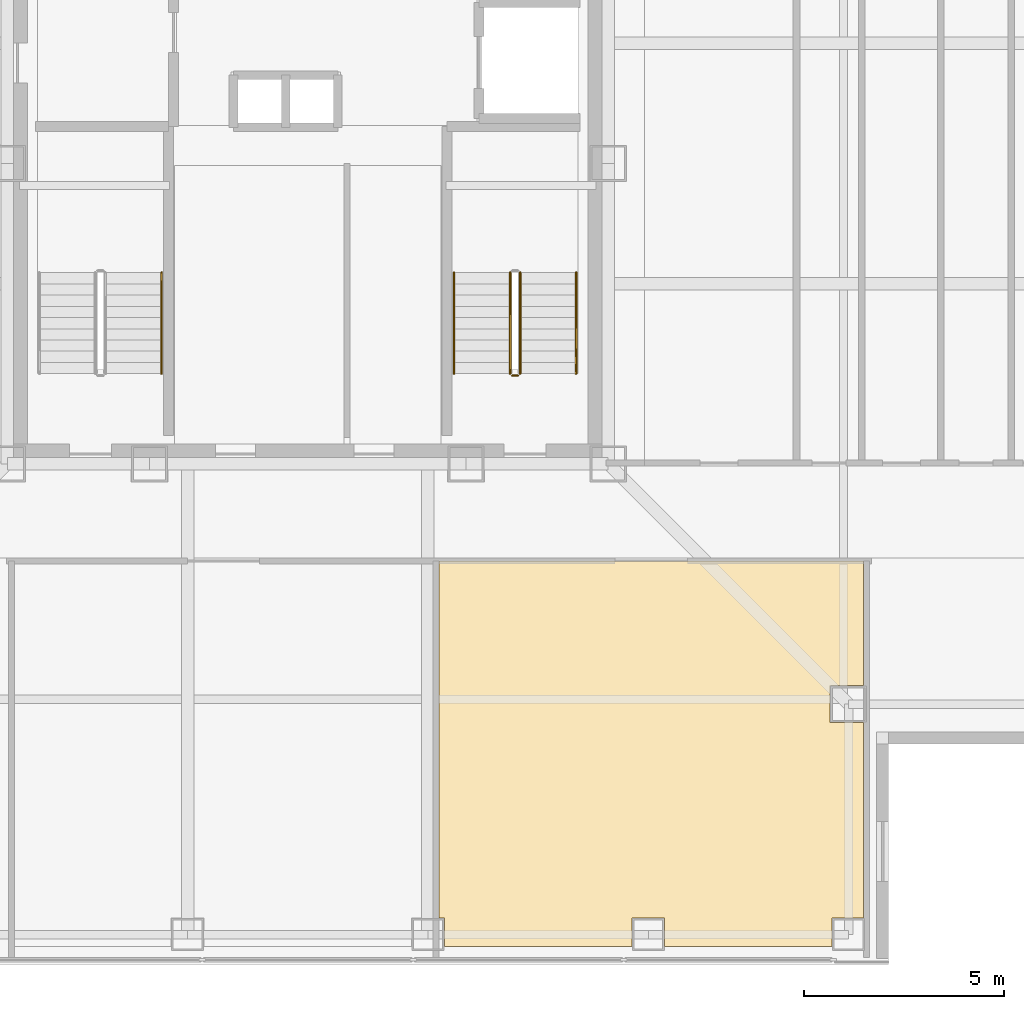
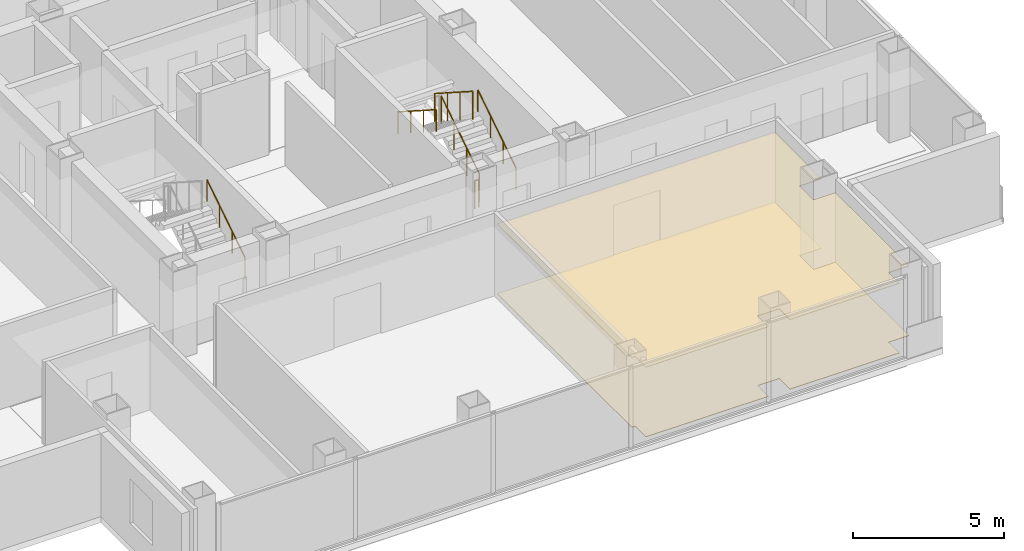
# One storey, part 14 of 18: 6 railings, 2 coverings.
"""IFC4 building model written with IfcOpenShell, lengths in metres."""

import ifcopenshell
import ifcopenshell.guid

model = None  # the IFC model being written
_history = None  # IfcOwnerHistory: only IFC2X3 demands one
_inside = {}  # id of a spatial element -> (the spatial element, [elements in it])
_under = {}  # id of a project, library or spatial element -> (it, [spatial elements below it])
_declared = {}  # id of a project -> (the project, [libraries it declares])
_typed = {}  # id of a type object -> (the type object, [elements of that type])
_made_of = {}  # id of a material, layer set ... -> (it, [elements and type objects made of it])


def new_model(schema):
    """Start an empty IFC model of exactly this schema.

    Asked for "IFC4X3", IfcOpenShell would pick the latest addendum, in which some entities
    have other attributes; the version numbers below select the first issue.
    IFC2X3 requires an IfcOwnerHistory on every rooted entity: one is made here for all.
    """
    global model, _history
    if schema == "IFC4X3":
        model = ifcopenshell.file(schema_version=(4, 3, 0, 0))
    else:
        model = ifcopenshell.file(schema=schema)
    _inside.clear()
    _under.clear()
    _declared.clear()
    _typed.clear()
    _made_of.clear()
    _history = None
    if model.schema == "IFC2X3":
        org = make("IfcOrganization", Name="unknown")
        user = make(
            "IfcPersonAndOrganization",
            ThePerson=make("IfcPerson", FamilyName="unknown"),
            TheOrganization=org,
        )
        app = make(
            "IfcApplication",
            ApplicationDeveloper=org,
            Version="unknown",
            ApplicationFullName="unknown",
            ApplicationIdentifier="unknown",
        )
        _history = make(
            "IfcOwnerHistory",
            OwningUser=user,
            OwningApplication=app,
            ChangeAction="ADDED",
            CreationDate=0,
        )
    return model


def make(cls, **values):
    """One entity of the class cls with the attributes given. An attribute that is None is left unset."""
    return model.create_entity(
        cls, **{name: value for name, value in values.items() if value is not None}
    )


def rooted(cls, **values):
    """An entity with a GlobalId (a new one), such as an element, a storey or a relation."""
    return make(cls, GlobalId=ifcopenshell.guid.new(), OwnerHistory=_history, **values)


def si_unit(unit_type, name, prefix=None):
    """IfcSIUnit, for example si_unit("LENGTHUNIT", "METRE", prefix="MILLI")."""
    return make("IfcSIUnit", UnitType=unit_type, Prefix=prefix, Name=name)


def assignment(units):
    """IfcUnitAssignment: the units of a project."""
    return None if units is None else make("IfcUnitAssignment", Units=units)


def point(xyz):
    """IfcCartesianPoint."""
    return None if xyz is None else make("IfcCartesianPoint", Coordinates=xyz)


def direction(xyz):
    """IfcDirection."""
    return None if xyz is None else make("IfcDirection", DirectionRatios=xyz)


def frame(location, z_axis=None, x_axis=None):
    """IfcAxis2Placement3D, a coordinate frame: its origin and axes. An axis left out is left unset."""
    return make(
        "IfcAxis2Placement3D",
        Location=point(location),
        Axis=direction(z_axis),
        RefDirection=direction(x_axis),
    )


def frame_2d(location, x_axis=None):
    """IfcAxis2Placement2D, a coordinate frame in the plane: its origin and x axis."""
    return make(
        "IfcAxis2Placement2D", Location=point(location), RefDirection=direction(x_axis)
    )


def origin():
    """The frame at (0, 0, 0) with its axes left unset."""
    return frame((0.0, 0.0, 0.0))


def origin_2d():
    """The frame at (0, 0) in the plane with its x axis left unset."""
    return frame_2d((0.0, 0.0))


def place(relative_to, where):
    """IfcLocalPlacement: puts the frame where relative to a parent placement (None: the world)."""
    return make(
        "IfcLocalPlacement", PlacementRelTo=relative_to, RelativePlacement=where
    )


def context(
    kind, dimensions, precision=None, world=None, true_north=None, identifier=None
):
    """IfcGeometricRepresentationContext, for example the 3D "Model" context."""
    return make(
        "IfcGeometricRepresentationContext",
        ContextIdentifier=identifier,
        ContextType=kind,
        CoordinateSpaceDimension=dimensions,
        Precision=precision,
        WorldCoordinateSystem=world,
        TrueNorth=true_north,
    )


def subcontext(parent, identifier, kind, view, scale=None):
    """IfcGeometricRepresentationSubContext, for example "Body" below "Model"."""
    return make(
        "IfcGeometricRepresentationSubContext",
        ContextIdentifier=identifier,
        ContextType=kind,
        ParentContext=parent,
        TargetScale=scale,
        TargetView=view,
    )


def project(units=None, contexts=None):
    """IfcProject with its units and contexts."""
    return rooted(
        "IfcProject",
        Name="project",
        RepresentationContexts=contexts,
        UnitsInContext=assignment(units),
    )


def spatial(cls, under=None, at=None, **own):
    """A site, building, storey or space (cls), placed at a placement, below another one or the project."""
    s = rooted(cls, ObjectPlacement=at, **own)
    if under is not None:
        _under.setdefault(under.id(), (under, []))[1].append(s)
    return s


def polyline(points):
    """IfcPolyline through the points."""
    return make("IfcPolyline", Points=[point(p) for p in points])


def profile(cls, at=None, kind="AREA", **sizes):
    """A parametric profile (cls). Its sizes go by their IFC names, for example OverallWidth=200.0."""
    return make(cls, ProfileType=kind, Position=at, **sizes)


def circle(**sizes):
    """IfcCircleProfileDef."""
    return profile("IfcCircleProfileDef", **sizes)


def outline(outer, holes=None, kind="AREA"):
    """IfcArbitraryClosedProfileDef: a profile drawn as a closed curve; with holes, ...WithVoids."""
    if holes is None:
        return make("IfcArbitraryClosedProfileDef", ProfileType=kind, OuterCurve=outer)
    return make(
        "IfcArbitraryProfileDefWithVoids",
        ProfileType=kind,
        OuterCurve=outer,
        InnerCurves=holes,
    )


def extrude(swept, where, along, depth):
    """IfcExtrudedAreaSolid: the profile swept, set in the frame where, extruded along a direction by depth."""
    return make(
        "IfcExtrudedAreaSolid",
        SweptArea=swept,
        Position=where,
        ExtrudedDirection=direction(along),
        Depth=depth,
    )


def shape(context_of_items, identifier, shape_type, items):
    """IfcShapeRepresentation: the items that make up one representation, for example the "Body"."""
    return make(
        "IfcShapeRepresentation",
        ContextOfItems=context_of_items,
        RepresentationIdentifier=identifier,
        RepresentationType=shape_type,
        Items=items,
    )


def material(Name=None, Category=None):
    """IfcMaterial."""
    return make("IfcMaterial", Name=Name, Category=Category)


def layer(
    of_material, thickness, ventilated=None, Name=None, Category=None, Priority=None
):
    """IfcMaterialLayer: one layer of a wall or slab, of a material (None: an air gap)."""
    return make(
        "IfcMaterialLayer",
        Material=of_material,
        LayerThickness=thickness,
        IsVentilated=ventilated,
        Name=Name,
        Category=Category,
        Priority=Priority,
    )


def layer_set(layers, Name=None):
    """IfcMaterialLayerSet."""
    return make("IfcMaterialLayerSet", MaterialLayers=layers, LayerSetName=Name)


def made_of(thing, what):
    """Note that an element or type object is made of a material, layer set ...; save() writes the relation."""
    if what is not None:
        _made_of.setdefault(what.id(), (what, []))[1].append(thing)
    return thing


def type_object(cls, material=None, **own):
    """A type object (cls), such as IfcWallType, which elements share."""
    return made_of(rooted(cls, **own), material)


def element(
    cls,
    number,
    at=None,
    inside=None,
    cuts=None,
    type_object=None,
    material=None,
    context=None,
    identifier="Body",
    shape_type=None,
    held_by="IfcProductDefinitionShape",
    body=None,
    shapes=None,
    **own,
):
    """One element of the class cls, such as IfcWall. Its Tag is "e" and its number.

    at: its placement. inside: the storey or other place that contains it. cuts: it is an
    opening in that element (IfcRelVoidsElement). A single representation is given by context,
    identifier, shape_type and body (its items); several are given by shapes. held_by: the class
    of the entity that holds the representations. save() writes the other relations.
    """
    e = rooted(cls, Tag="e%d" % number, ObjectPlacement=at, **own)
    if body is not None:
        shapes = [shape(context, identifier, shape_type, body)]
    if shapes is not None:
        e.Representation = make(held_by, Representations=shapes)
    if inside is not None:
        _inside.setdefault(inside.id(), (inside, []))[1].append(e)
    if cuts is not None:
        rooted(
            "IfcRelVoidsElement", RelatingBuildingElement=cuts, RelatedOpeningElement=e
        )
    if type_object is not None:
        _typed.setdefault(type_object.id(), (type_object, []))[1].append(e)
    return made_of(e, material)


def aggregate(whole, parts):
    """IfcRelAggregates: a whole, such as a stair, and the parts it consists of."""
    return rooted("IfcRelAggregates", RelatingObject=whole, RelatedObjects=parts)


def save(model, path):
    """Write the relations noted so far, then the file.

    IfcRelAggregates (storeys below a building ...), IfcRelContainedInSpatialStructure (elements
    in a storey), IfcRelDefinesByType, IfcRelAssociatesMaterial and IfcRelDeclares: one each for
    every whole, place, type object, material and project.
    """
    for whole, parts in _under.values():
        aggregate(whole, parts)
    for where, things in _inside.values():
        rooted(
            "IfcRelContainedInSpatialStructure",
            RelatedElements=things,
            RelatingStructure=where,
        )
    for kind, things in _typed.values():
        rooted("IfcRelDefinesByType", RelatedObjects=things, RelatingType=kind)
    for what, things in _made_of.values():
        rooted("IfcRelAssociatesMaterial", RelatedObjects=things, RelatingMaterial=what)
    for by, libraries in _declared.values():
        rooted("IfcRelDeclares", RelatingContext=by, RelatedDefinitions=libraries)
    model.write(path)


model = new_model("IFC4")

# Units and contexts
model_context = context("Model", 3, precision=1e-05, world=origin(), true_north=direction((0.0, 1.0)))
body_context = subcontext(model_context, "Body", "Model", "MODEL_VIEW")
ifc_project = project(units=[si_unit("LENGTHUNIT", "METRE"), si_unit("AREAUNIT", "SQUARE_METRE"), si_unit("VOLUMEUNIT", "CUBIC_METRE"), si_unit("PLANEANGLEUNIT", "RADIAN"), si_unit("MASSUNIT", "GRAM", prefix="KILO")], contexts=[model_context])

# Site, building, storey
site_placement = place(None, origin())
site = spatial("IfcSite", under=ifc_project, at=site_placement, CompositionType="ELEMENT")
building_placement = place(site_placement, origin())
building = spatial("IfcBuilding", under=site, at=building_placement, Name="Trevonay Congress Spire", CompositionType="ELEMENT")
storey_placement = place(building_placement, frame((0.0, 0.0, 198.60009765625)))
storey = spatial("IfcBuildingStorey", under=building, at=storey_placement, Name="L51", CompositionType="ELEMENT", Elevation=198.60009765625)

# Coverings
ifc_material_1 = material(Name="Acoustic Mineral Fibre Board", Category="gypsum")
ifc_layer_1 = layer(ifc_material_1, 0.02490234375, Name="Acoustic Mineral Fibre Board")
ifc_layer_set_1 = layer_set([ifc_layer_1], Name="Acoustic Mineral Fibre Board")
covering_type_1 = type_object("IfcCoveringType", Name="COV-CEIL-ACOUSTIC", PredefinedType="CEILING", material=ifc_layer_set_1)
covering_1_placement = place(storey_placement, frame((0.0, 0.0, 2.809814453125)))
element("IfcCovering", 1, at=covering_1_placement, inside=storey, type_object=covering_type_1, Name="L51 Pastry and Garde-Manger Kitchen acoustic suspended ceiling", PredefinedType="CEILING", context=body_context, shape_type="SweptSolid", body=[
    extrude(outline(polyline([(3.409912109375, -19.550048828125), (3.409912109375, -18.840087890625), (3.280029296875, -18.840087890625), (3.280029296875, -9.929931640625), (13.8701171875, -9.929931640625), (13.8701171875, -13.0400390625), (13.0400390625, -13.0400390625), (13.0400390625, -13.9599609375), (13.8701171875, -13.9599609375), (13.8701171875, -18.840087890625), (13.090087890625, -18.840087890625), (13.090087890625, -19.550048828125), (8.909912109375, -19.550048828125), (8.909912109375, -18.840087890625), (8.090087890625, -18.840087890625), (8.090087890625, -19.550048828125), (3.409912109375, -19.550048828125)])), origin(), (0.0, 0.0, 1.0), 0.025146484375),
])
ifc_material_2 = material(Name="Polished Granite Floor Tile", Category="masonry")
ifc_layer_2 = layer(ifc_material_2, 0.02001953125, Name="Polished Granite Floor Tile")
ifc_layer_set_2 = layer_set([ifc_layer_2], Name="Polished Granite Floor Tile")
covering_type_2 = type_object("IfcCoveringType", Name="COV-FLOOR-STONE", PredefinedType="FLOORING", material=ifc_layer_set_2)
covering_2_placement = place(storey_placement, origin())
element("IfcCovering", 2, at=covering_2_placement, inside=storey, type_object=covering_type_2, Name="L51 Pastry and Garde-Manger Kitchen floor finish", PredefinedType="FLOORING", context=body_context, shape_type="SweptSolid", body=[
    extrude(outline(polyline([(3.409912109375, -19.550048828125), (3.409912109375, -18.840087890625), (3.280029296875, -18.840087890625), (3.280029296875, -9.929931640625), (13.8701171875, -9.929931640625), (13.8701171875, -13.0400390625), (13.0400390625, -13.0400390625), (13.0400390625, -13.9599609375), (13.8701171875, -13.9599609375), (13.8701171875, -18.840087890625), (13.090087890625, -18.840087890625), (13.090087890625, -19.550048828125), (8.909912109375, -19.550048828125), (8.909912109375, -18.840087890625), (8.090087890625, -18.840087890625), (8.090087890625, -19.550048828125), (3.409912109375, -19.550048828125)])), origin(), (0.0, 0.0, 1.0), 0.02001953125),
])

# Railings
ifc_material_3 = material(Name="Pale Anodised Aluminium EN AW-6063-T6", Category="aluminium")
railing_type_1 = type_object("IfcRailingType", Name="RAL-STAIR-GUARD-110", PredefinedType="GUARDRAIL", material=ifc_material_3)
railing_1_placement = place(storey_placement, frame((5.300048828125, -5.25, 0.179931640625)))
element("IfcRailing", 3, at=railing_1_placement, inside=storey, type_object=railing_type_1, Name="L51 ST-2 stair guard 1", PredefinedType="GUARDRAIL", context=body_context, shape_type="SweptSolid", body=[
    extrude(circle(Radius=0.02392578125, at=origin_2d()), frame((0.0, 0.0, 1.1259765625), z_axis=(0.0, 0.841199657755, 0.540724639528), x_axis=(-1.0, 0.0, 0.0)), (0.0, 0.0, 1.0), 2.995849609375),
    extrude(circle(Radius=0.02099609375, at=origin_2d()), origin(), (0.0, 0.0, 1.0), 1.101806640625),
    extrude(circle(Radius=0.02099609375, at=origin_2d()), frame((0.0, 0.840087890625, 0.5400390625)), (0.0, 0.0, 1.0), 1.101806640625),
    extrude(circle(Radius=0.02099609375, at=origin_2d()), frame((0.0, 1.679931640625, 1.079833984375)), (0.0, 0.0, 1.0), 1.101806640625),
    extrude(circle(Radius=0.02099609375, at=origin_2d()), frame((0.0, 2.52001953125, 1.619873046875)), (0.0, 0.0, 1.0), 1.101806640625),
])
railing_2_placement = place(storey_placement, frame((5.050048828125, -2.72998046875, 1.97998046875)))
element("IfcRailing", 4, at=railing_2_placement, inside=storey, type_object=railing_type_1, Name="L51 ST-2 stair guard 3", PredefinedType="GUARDRAIL", context=body_context, shape_type="SweptSolid", body=[
    extrude(circle(Radius=0.02392578125, at=origin_2d()), frame((0.0, 0.0, 1.1259765625), z_axis=(0.0, -0.841199657755, 0.540724639528), x_axis=(1.0, 0.0, 0.0)), (0.0, 0.0, 1.0), 2.995849609375),
    extrude(circle(Radius=0.02099609375, at=origin_2d()), origin(), (0.0, 0.0, 1.0), 1.101806640625),
    extrude(circle(Radius=0.02099609375, at=origin_2d()), frame((0.0, -0.840087890625, 0.5400390625)), (0.0, 0.0, 1.0), 1.101806640625),
    extrude(circle(Radius=0.02099609375, at=origin_2d()), frame((0.0, -1.679931640625, 1.079833984375)), (0.0, 0.0, 1.0), 1.101806640625),
    extrude(circle(Radius=0.02099609375, at=origin_2d()), frame((0.0, -2.52001953125, 1.619873046875)), (0.0, 0.0, 1.0), 1.101806640625),
])
railing_3_placement = place(storey_placement, frame((5.25, -5.300048828125, 0.0)))
element("IfcRailing", 5, at=railing_3_placement, inside=storey, type_object=railing_type_1, Name="L51 ST-2 stair guard 4", PredefinedType="GUARDRAIL", context=body_context, shape_type="SweptSolid", body=[
    extrude(circle(Radius=0.02392578125, at=origin_2d()), frame((0.0, 0.0, 1.1259765625), z_axis=(-1.0, 0.0, 0.0), x_axis=(0.0, -1.0, 0.0)), (0.0, 0.0, 1.0), 0.14990234375),
    extrude(circle(Radius=0.02099609375, at=origin_2d()), origin(), (0.0, 0.0, 1.0), 1.101806640625),
    extrude(circle(Radius=0.02099609375, at=origin_2d()), frame((-0.14990234375, 0.0, 0.0)), (0.0, 0.0, 1.0), 1.101806640625),
])
railing_type_2 = type_object("IfcRailingType", Name="RAL-STAIR-HANDRAIL", PredefinedType="HANDRAIL", material=ifc_material_3)
for number, where, name in (
    (6, (-3.64990234375, -5.25, 0.179931640625), "L51 ST-1 stair handrail 1"),
    (7, (6.699951171875, -5.25, 0.179931640625), "L51 ST-2 stair handrail 1"),
):
    element("IfcRailing", number, at=place(storey_placement, frame(where)), inside=storey, type_object=railing_type_2, Name=name, PredefinedType="HANDRAIL", context=body_context, shape_type="SweptSolid", body=[
        extrude(circle(Radius=0.02392578125, at=origin_2d()), frame((0.0, 0.0, 0.8759765625), z_axis=(0.0, 0.841199657755, 0.540724639528), x_axis=(-1.0, 0.0, 0.0)), (0.0, 0.0, 1.0), 2.995849609375),
        extrude(circle(Radius=0.02099609375, at=origin_2d()), origin(), (0.0, 0.0, 1.0), 0.851806640625),
        extrude(circle(Radius=0.02099609375, at=origin_2d()), frame((0.0, 0.840087890625, 0.5400390625)), (0.0, 0.0, 1.0), 0.851806640625),
        extrude(circle(Radius=0.02099609375, at=origin_2d()), frame((0.0, 1.679931640625, 1.079833984375)), (0.0, 0.0, 1.0), 0.851806640625),
        extrude(circle(Radius=0.02099609375, at=origin_2d()), frame((0.0, 2.52001953125, 1.619873046875)), (0.0, 0.0, 1.0), 0.851806640625),
    ])
railing_4_placement = place(storey_placement, frame((3.64990234375, -2.72998046875, 1.97998046875)))
element("IfcRailing", 8, at=railing_4_placement, inside=storey, type_object=railing_type_2, Name="L51 ST-2 stair handrail 2", PredefinedType="HANDRAIL", context=body_context, shape_type="SweptSolid", body=[
    extrude(circle(Radius=0.02392578125, at=origin_2d()), frame((0.0, 0.0, 0.8759765625), z_axis=(0.0, -0.841199657755, 0.540724639528), x_axis=(1.0, 0.0, 0.0)), (0.0, 0.0, 1.0), 2.995849609375),
    extrude(circle(Radius=0.02099609375, at=origin_2d()), origin(), (0.0, 0.0, 1.0), 0.851806640625),
    extrude(circle(Radius=0.02099609375, at=origin_2d()), frame((0.0, -0.840087890625, 0.5400390625)), (0.0, 0.0, 1.0), 0.851806640625),
    extrude(circle(Radius=0.02099609375, at=origin_2d()), frame((0.0, -1.679931640625, 1.079833984375)), (0.0, 0.0, 1.0), 0.851806640625),
    extrude(circle(Radius=0.02099609375, at=origin_2d()), frame((0.0, -2.52001953125, 1.619873046875)), (0.0, 0.0, 1.0), 0.851806640625),
])

save(model, "model.ifc")
